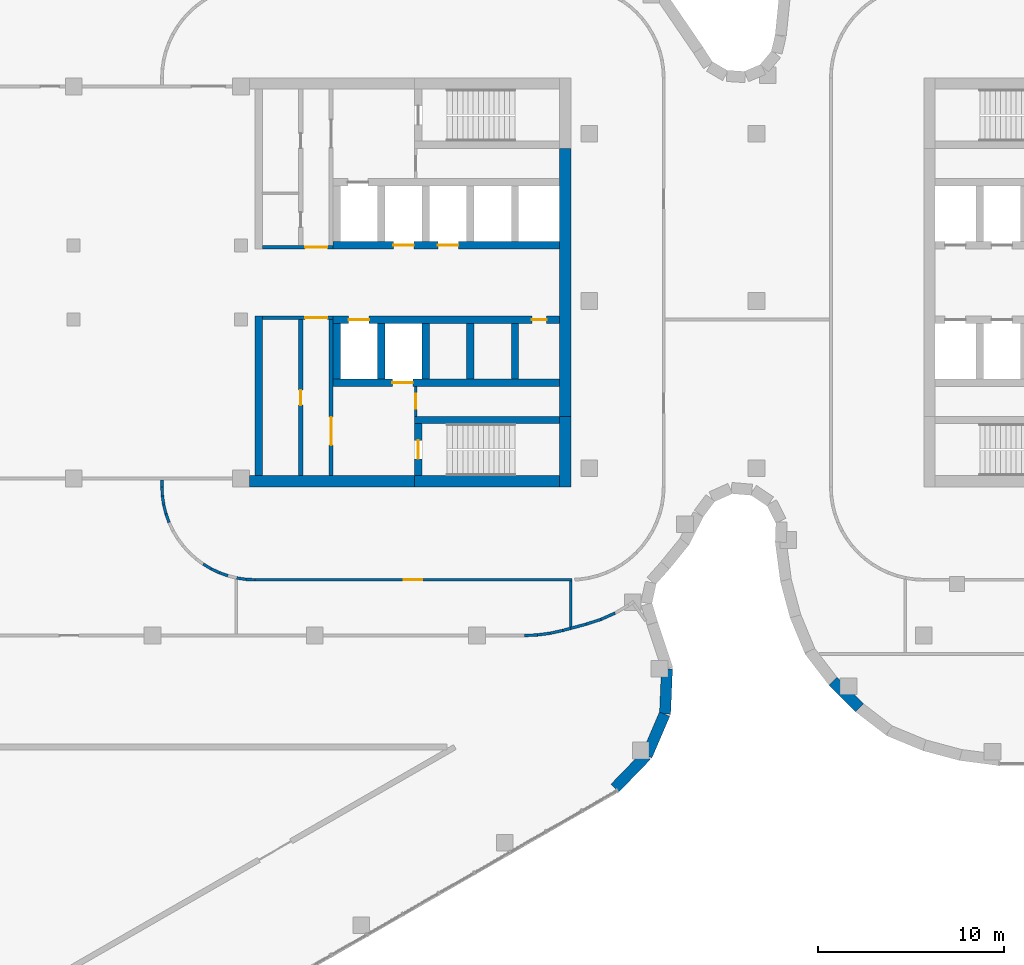
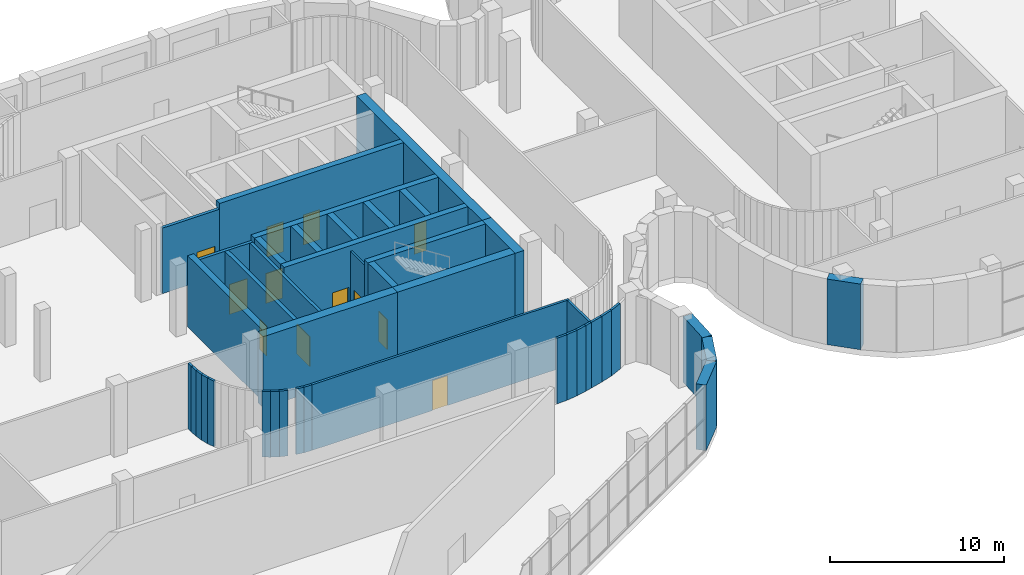
# One storey, part 13 of 24: 43 walls, 12 doors, 12 openings.
"""IFC4 building model written with IfcOpenShell, lengths in metres."""

from ifc_helpers import new_model, si_unit, direction, frame, frame_2d, origin, place, context, subcontext, project, spatial, rectangle, extrude, material, layer, layer_set, type_object, element, fill, save


model = new_model("IFC4")

# Units and contexts
model_context = context("Model", 3, precision=1e-05, world=origin(), true_north=direction((0.0, 1.0)))
body_context = subcontext(model_context, "Body", "Model", "MODEL_VIEW")
ifc_project = project(units=[si_unit("LENGTHUNIT", "METRE"), si_unit("AREAUNIT", "SQUARE_METRE"), si_unit("VOLUMEUNIT", "CUBIC_METRE"), si_unit("PLANEANGLEUNIT", "RADIAN"), si_unit("MASSUNIT", "GRAM", prefix="KILO")], contexts=[model_context])

# Site, building, storey
site_placement = place(None, origin())
site = spatial("IfcSite", under=ifc_project, at=site_placement, CompositionType="ELEMENT")
building_placement = place(site_placement, origin())
building = spatial("IfcBuilding", under=site, at=building_placement, Name="Skarvind Civic Tower", CompositionType="ELEMENT")
storey_placement = place(building_placement, frame((0.0, 0.0, 12.5)))
storey = spatial("IfcBuildingStorey", under=building, at=storey_placement, Name="L02", CompositionType="ELEMENT", Elevation=12.5)

# Wall, opening, door
ifc_material_1 = material(Name="Fire-rated masonry partition", Category="masonry")
ifc_layer_1 = layer(ifc_material_1, 0.199951171875)
ifc_layer_set_1 = layer_set([ifc_layer_1], Name="Core enclosure wall 200")
wall_type_1 = type_object("IfcWallType", Name="Core enclosure wall 200", PredefinedType="PARTITIONING", material=ifc_layer_set_1)
wall_1_placement = place(storey_placement, frame((95.199951171875, 126.10009765625, 0.0), z_axis=(0.0, 0.0, 1.0), x_axis=(-1.0, 0.0, 0.0)))
wall_1 = element("IfcWall", 1, at=wall_1_placement, inside=storey, type_object=wall_type_1, Name="Core wall C1", PredefinedType="PARTITIONING", context=body_context, shape_type="SweptSolid", body=[
    extrude(rectangle(XDim=3.800048828125, YDim=0.199951171875, at=frame_2d((1.89990234375, 0.0))), origin(), (0.0, 0.0, 1.0), 4.60009765625),
])
opening_1_placement = place(wall_1_placement, frame((0.300048828125, 0.0, 0.0)))
opening_1 = element("IfcOpeningElement", 2, at=opening_1_placement, cuts=wall_1, Name="Opening D-L02-C1-05", PredefinedType="OPENING", context=body_context, shape_type="SweptSolid", body=[
    extrude(rectangle(XDim=1.199951171875, YDim=2.10009765625, at=frame_2d((0.60009765625, 1.050048828125))), frame((0.0, 0.10986328125, 0.0), z_axis=(0.0, -1.0, 0.0), x_axis=(1.0, 0.0, 0.0)), (0.0, 0.0, 1.0), 0.219970703125),
])
ifc_material_2 = material(Name="Fire-rated steel door", Category="steel")
door_type_1 = type_object("IfcDoorType", Name="Core lobby door 1200", OperationType="NOTDEFINED", PredefinedType="DOOR", material=ifc_material_2)
door_1_placement = place(opening_1_placement, origin())
door_1 = element("IfcDoor", 3, at=door_1_placement, inside=storey, type_object=door_type_1, Name="Fire door", OperationType="DOUBLE_DOOR_SINGLE_SWING", OverallHeight=2.10009765625, OverallWidth=1.199951171875, PredefinedType="DOOR", context=body_context, shape_type="SweptSolid", body=[
    extrude(rectangle(XDim=1.199951171875, YDim=2.10009765625, at=frame_2d((0.60009765625, 1.050048828125))), frame((0.0, 0.02490234375, 0.0), z_axis=(0.0, -1.0, 0.0), x_axis=(1.0, 0.0, 0.0)), (0.0, 0.0, 1.0), 0.050048828125),
])
fill(opening_1, door_1)

wall_2_placement = place(storey_placement, frame((95.10009765625, 117.60009765625, 0.0), z_axis=(0.0, 0.0, 1.0), x_axis=(0.0, 1.0, 0.0)))
wall_2 = element("IfcWall", 4, at=wall_2_placement, inside=storey, type_object=wall_type_1, Name="Core wall C1", PredefinedType="PARTITIONING", context=body_context, shape_type="SweptSolid", body=[
    extrude(rectangle(XDim=8.39990234375, YDim=0.199951171875, at=frame_2d((4.199951171875, 0.0))), origin(), (0.0, 0.0, 1.0), 4.60009765625),
])
opening_2_placement = place(wall_2_placement, frame((1.64990234375, 0.0, 0.0)))
opening_2 = element("IfcOpeningElement", 5, at=opening_2_placement, cuts=wall_2, Name="Opening D-L02-C1-06", PredefinedType="OPENING", context=body_context, shape_type="SweptSolid", body=[
    extrude(rectangle(XDim=1.5, YDim=2.10009765625, at=frame_2d((0.75, 1.050048828125))), frame((0.0, 0.10986328125, 0.0), z_axis=(0.0, -1.0, 0.0), x_axis=(1.0, 0.0, 0.0)), (0.0, 0.0, 1.0), 0.219970703125),
])
door_type_2 = type_object("IfcDoorType", Name="Fire door 1500", OperationType="NOTDEFINED", PredefinedType="DOOR", material=ifc_material_2)
door_2_placement = place(opening_2_placement, origin())
door_2 = element("IfcDoor", 6, at=door_2_placement, inside=storey, type_object=door_type_2, Name="Fire door", OperationType="DOUBLE_DOOR_SINGLE_SWING", OverallHeight=2.10009765625, OverallWidth=1.5, PredefinedType="DOOR", context=body_context, shape_type="SweptSolid", body=[
    extrude(rectangle(XDim=1.5, YDim=2.10009765625, at=frame_2d((0.75, 1.050048828125))), frame((0.0, 0.02490234375, 0.0), z_axis=(0.0, -1.0, 0.0), x_axis=(1.0, 0.0, 0.0)), (0.0, 0.0, 1.0), 0.050048828125),
])
fill(opening_2, door_2)

wall_3_placement = place(storey_placement, frame((91.39990234375, 129.89990234375, 0.0), z_axis=(0.0, 0.0, 1.0), x_axis=(1.0, 0.0, 0.0)))
wall_3 = element("IfcWall", 7, at=wall_3_placement, inside=storey, type_object=wall_type_1, Name="Core wall C1", PredefinedType="PARTITIONING", context=body_context, shape_type="SweptSolid", body=[
    extrude(rectangle(XDim=3.800048828125, YDim=0.199951171875, at=frame_2d((1.89990234375, 0.0))), origin(), (0.0, 0.0, 1.0), 4.60009765625),
])
opening_3_placement = place(wall_3_placement, frame((2.300048828125, 0.0, 0.0)))
opening_3 = element("IfcOpeningElement", 8, at=opening_3_placement, cuts=wall_3, Name="Opening D-L02-C1-10", PredefinedType="OPENING", context=body_context, shape_type="SweptSolid", body=[
    extrude(rectangle(XDim=1.199951171875, YDim=2.10009765625, at=frame_2d((0.60009765625, 1.050048828125))), frame((0.0, 0.10986328125, 0.0), z_axis=(0.0, -1.0, 0.0), x_axis=(1.0, 0.0, 0.0)), (0.0, 0.0, 1.0), 0.219970703125),
])
door_3_placement = place(opening_3_placement, origin())
door_3 = element("IfcDoor", 9, at=door_3_placement, inside=storey, type_object=door_type_1, Name="Fire door", OperationType="DOUBLE_DOOR_SINGLE_SWING", OverallHeight=2.10009765625, OverallWidth=1.199951171875, PredefinedType="DOOR", context=body_context, shape_type="SweptSolid", body=[
    extrude(rectangle(XDim=1.199951171875, YDim=2.10009765625, at=frame_2d((0.60009765625, 1.050048828125))), frame((0.0, 0.02490234375, 0.0), z_axis=(0.0, -1.0, 0.0), x_axis=(1.0, 0.0, 0.0)), (0.0, 0.0, 1.0), 0.050048828125),
])
fill(opening_3, door_3)

# Wall
ifc_material_3 = material(Name="Concrete C80", Category="concrete")
ifc_layer_2 = layer(ifc_material_3, 0.39990234375)
ifc_layer_set_2 = layer_set([ifc_layer_2], Name="Core wall 400 C80")
wall_type_2 = type_object("IfcWallType", Name="Core wall 400 C80", PredefinedType="SHEAR", material=ifc_layer_set_2)
wall_4_placement = place(storey_placement, frame((107.39990234375, 120.60009765625, 0.0), z_axis=(0.0, 0.0, 1.0), x_axis=(-1.0, 0.0, 0.0)))
element("IfcWall", 10, at=wall_4_placement, inside=storey, type_object=wall_type_2, Name="Core wall C1 north stair inner L02", PredefinedType="SHEAR", context=body_context, shape_type="SweptSolid", body=[
    extrude(rectangle(XDim=7.7998046875, YDim=0.39990234375, at=frame_2d((3.89990234375, 0.0))), origin(), (0.0, 0.0, 1.0), 5.0),
])

# Wall, opening, door
wall_5_placement = place(storey_placement, frame((99.800048828125, 120.39990234375, 0.0), z_axis=(0.0, 0.0, 1.0), x_axis=(0.0, -1.0, 0.0)))
wall_5 = element("IfcWall", 11, at=wall_5_placement, inside=storey, type_object=wall_type_2, Name="Core wall C1 north stair end L02", PredefinedType="SHEAR", context=body_context, shape_type="SweptSolid", body=[
    extrude(rectangle(XDim=2.7998046875, YDim=0.39990234375, at=frame_2d((1.39990234375, 0.0))), origin(), (0.0, 0.0, 1.0), 5.0),
])
opening_4_placement = place(wall_5_placement, frame((0.89990234375, 0.0, 0.0)))
opening_4 = element("IfcOpeningElement", 12, at=opening_4_placement, cuts=wall_5, Name="Opening D-L02-C1-07", PredefinedType="OPENING", context=body_context, shape_type="SweptSolid", body=[
    extrude(rectangle(XDim=1.0, YDim=2.10009765625, at=frame_2d((0.5, 1.050048828125))), frame((0.0, 0.2099609375, 0.0), z_axis=(0.0, -1.0, 0.0), x_axis=(1.0, 0.0, 0.0)), (0.0, 0.0, 1.0), 0.419921875),
])
door_type_3 = type_object("IfcDoorType", Name="Fire door 1000", OperationType="NOTDEFINED", PredefinedType="DOOR", material=ifc_material_2)
door_4_placement = place(opening_4_placement, origin())
door_4 = element("IfcDoor", 13, at=door_4_placement, inside=storey, type_object=door_type_3, Name="Fire door", OperationType="SINGLE_SWING_LEFT", OverallHeight=2.10009765625, OverallWidth=1.0, PredefinedType="DOOR", context=body_context, shape_type="SweptSolid", body=[
    extrude(rectangle(XDim=1.0, YDim=2.10009765625, at=frame_2d((0.5, 1.050048828125))), frame((0.0, 0.02490234375, 0.0), z_axis=(0.0, -1.0, 0.0), x_axis=(1.0, 0.0, 0.0)), (0.0, 0.0, 1.0), 0.050048828125),
])
fill(opening_4, door_4)

# Wall, openings, doors
wall_6_placement = place(storey_placement, frame((107.39990234375, 130.0, 0.0), z_axis=(0.0, 0.0, 1.0), x_axis=(-1.0, 0.0, 0.0)))
wall_6 = element("IfcWall", 14, at=wall_6_placement, inside=storey, type_object=wall_type_2, Name="Core wall C1 south lift row front L02", PredefinedType="SHEAR", context=body_context, shape_type="SweptSolid", body=[
    extrude(rectangle(XDim=12.199951171875, YDim=0.39990234375, at=frame_2d((6.10009765625, 0.0))), origin(), (0.0, 0.0, 1.0), 5.0),
])
opening_5_placement = place(wall_6_placement, frame((5.449951171875, 0.0, 0.0)))
opening_5 = element("IfcOpeningElement", 15, at=opening_5_placement, cuts=wall_6, Name="Opening LD04108", PredefinedType="OPENING", context=body_context, shape_type="SweptSolid", body=[
    extrude(rectangle(XDim=1.10009765625, YDim=2.10009765625, at=frame_2d((0.550048828125, 1.050048828125))), frame((0.0, 0.2099609375, 0.0), z_axis=(0.0, -1.0, 0.0), x_axis=(1.0, 0.0, 0.0)), (0.0, 0.0, 1.0), 0.419921875),
])
opening_6_placement = place(wall_6_placement, frame((7.85009765625, 0.0, 0.0)))
opening_6 = element("IfcOpeningElement", 16, at=opening_6_placement, cuts=wall_6, Name="Opening LD04109", PredefinedType="OPENING", context=body_context, shape_type="SweptSolid", body=[
    extrude(rectangle(XDim=1.10009765625, YDim=2.10009765625, at=frame_2d((0.550048828125, 1.050048828125))), frame((0.0, 0.2099609375, 0.0), z_axis=(0.0, -1.0, 0.0), x_axis=(1.0, 0.0, 0.0)), (0.0, 0.0, 1.0), 0.419921875),
])
ifc_material_4 = material(Name="Stainless steel landing door", Category="steel")
door_type_4 = type_object("IfcDoorType", Name="Lift landing door 1100", OperationType="DOUBLE_DOOR_SLIDING", PredefinedType="DOOR", material=ifc_material_4)
door_5_placement = place(opening_5_placement, origin())
door_5 = element("IfcDoor", 17, at=door_5_placement, inside=storey, type_object=door_type_4, Name="Lift landing door", OperationType="DOUBLE_DOOR_SLIDING", OverallHeight=2.10009765625, OverallWidth=1.10009765625, PredefinedType="DOOR", context=body_context, shape_type="SweptSolid", body=[
    extrude(rectangle(XDim=1.10009765625, YDim=2.10009765625, at=frame_2d((0.550048828125, 1.050048828125))), frame((0.0, 0.02490234375, 0.0), z_axis=(0.0, -1.0, 0.0), x_axis=(1.0, 0.0, 0.0)), (0.0, 0.0, 1.0), 0.050048828125),
])
fill(opening_5, door_5)
door_6_placement = place(opening_6_placement, origin())
door_6 = element("IfcDoor", 18, at=door_6_placement, inside=storey, type_object=door_type_4, Name="Lift landing door", OperationType="DOUBLE_DOOR_SLIDING", OverallHeight=2.10009765625, OverallWidth=1.10009765625, PredefinedType="DOOR", context=body_context, shape_type="SweptSolid", body=[
    extrude(rectangle(XDim=1.10009765625, YDim=2.10009765625, at=frame_2d((0.550048828125, 1.050048828125))), frame((0.0, 0.02490234375, 0.0), z_axis=(0.0, -1.0, 0.0), x_axis=(1.0, 0.0, 0.0)), (0.0, 0.0, 1.0), 0.050048828125),
])
fill(opening_6, door_6)

wall_7_placement = place(storey_placement, frame((107.39990234375, 126.0, 0.0), z_axis=(0.0, 0.0, 1.0), x_axis=(-1.0, 0.0, 0.0)))
wall_7 = element("IfcWall", 19, at=wall_7_placement, inside=storey, type_object=wall_type_2, Name="Core wall C1 north lift row front L02", PredefinedType="SHEAR", context=body_context, shape_type="SweptSolid", body=[
    extrude(rectangle(XDim=12.199951171875, YDim=0.39990234375, at=frame_2d((6.10009765625, 0.0))), origin(), (0.0, 0.0, 1.0), 5.0),
])
opening_7_placement = place(wall_7_placement, frame((10.25, 0.0, 0.0)))
opening_7 = element("IfcOpeningElement", 20, at=opening_7_placement, cuts=wall_7, Name="Opening LD04105", PredefinedType="OPENING", context=body_context, shape_type="SweptSolid", body=[
    extrude(rectangle(XDim=1.10009765625, YDim=2.10009765625, at=frame_2d((0.550048828125, 1.050048828125))), frame((0.0, 0.2099609375, 0.0), z_axis=(0.0, -1.0, 0.0), x_axis=(1.0, 0.0, 0.0)), (0.0, 0.0, 1.0), 0.419921875),
])
opening_8_placement = place(wall_7_placement, frame((0.699951171875, 0.0, 0.0)))
opening_8 = element("IfcOpeningElement", 21, at=opening_8_placement, cuts=wall_7, Name="Opening D-L02-C1-04", PredefinedType="OPENING", context=body_context, shape_type="SweptSolid", body=[
    extrude(rectangle(XDim=0.800048828125, YDim=2.10009765625, at=frame_2d((0.39990234375, 1.050048828125))), frame((0.0, 0.2099609375, 0.0), z_axis=(0.0, -1.0, 0.0), x_axis=(1.0, 0.0, 0.0)), (0.0, 0.0, 1.0), 0.419921875),
])
door_type_5 = type_object("IfcDoorType", Name="Core riser door 800", OperationType="NOTDEFINED", PredefinedType="DOOR", material=ifc_material_2)
door_7_placement = place(opening_8_placement, origin())
door_7 = element("IfcDoor", 22, at=door_7_placement, inside=storey, type_object=door_type_5, Name="Riser door", OperationType="SINGLE_SWING_LEFT", OverallHeight=2.10009765625, OverallWidth=0.800048828125, PredefinedType="DOOR", context=body_context, shape_type="SweptSolid", body=[
    extrude(rectangle(XDim=0.800048828125, YDim=2.10009765625, at=frame_2d((0.39990234375, 1.050048828125))), frame((0.0, 0.02490234375, 0.0), z_axis=(0.0, -1.0, 0.0), x_axis=(1.0, 0.0, 0.0)), (0.0, 0.0, 1.0), 0.050048828125),
])
fill(opening_8, door_7)
door_8_placement = place(opening_7_placement, origin())
door_8 = element("IfcDoor", 23, at=door_8_placement, inside=storey, type_object=door_type_4, Name="Lift landing door", OperationType="DOUBLE_DOOR_SLIDING", OverallHeight=2.10009765625, OverallWidth=1.10009765625, PredefinedType="DOOR", context=body_context, shape_type="SweptSolid", body=[
    extrude(rectangle(XDim=1.10009765625, YDim=2.10009765625, at=frame_2d((0.550048828125, 1.050048828125))), frame((0.0, 0.02490234375, 0.0), z_axis=(0.0, -1.0, 0.0), x_axis=(1.0, 0.0, 0.0)), (0.0, 0.0, 1.0), 0.050048828125),
])
fill(opening_7, door_8)

# Wall, opening, door
wall_8_placement = place(storey_placement, frame((107.39990234375, 122.60009765625, 0.0), z_axis=(0.0, 0.0, 1.0), x_axis=(-1.0, 0.0, 0.0)))
wall_8 = element("IfcWall", 24, at=wall_8_placement, inside=storey, type_object=wall_type_2, Name="Core wall C1 north lift row back L02", PredefinedType="SHEAR", context=body_context, shape_type="SweptSolid", body=[
    extrude(rectangle(XDim=12.199951171875, YDim=0.39990234375, at=frame_2d((6.10009765625, 0.0))), origin(), (0.0, 0.0, 1.0), 5.0),
])
opening_9_placement = place(wall_8_placement, frame((7.89990234375, 0.0, 0.0)))
opening_9 = element("IfcOpeningElement", 25, at=opening_9_placement, cuts=wall_8, Name="Opening LD04104", PredefinedType="OPENING", context=body_context, shape_type="SweptSolid", body=[
    extrude(rectangle(XDim=1.10009765625, YDim=2.10009765625, at=frame_2d((0.550048828125, 1.050048828125))), frame((0.0, 0.2099609375, 0.0), z_axis=(0.0, -1.0, 0.0), x_axis=(1.0, 0.0, 0.0)), (0.0, 0.0, 1.0), 0.419921875),
])
door_9_placement = place(opening_9_placement, origin())
door_9 = element("IfcDoor", 26, at=door_9_placement, inside=storey, type_object=door_type_4, Name="Lift landing door", OperationType="DOUBLE_DOOR_SLIDING", OverallHeight=2.10009765625, OverallWidth=1.10009765625, PredefinedType="DOOR", context=body_context, shape_type="SweptSolid", body=[
    extrude(rectangle(XDim=1.10009765625, YDim=2.10009765625, at=frame_2d((0.550048828125, 1.050048828125))), frame((0.0, 0.02490234375, 0.0), z_axis=(0.0, -1.0, 0.0), x_axis=(1.0, 0.0, 0.0)), (0.0, 0.0, 1.0), 0.050048828125),
])
fill(opening_9, door_9)

# Walls
for number, where, z_axis, x_axis, name in (
    (27, (105.0, 125.800048828125, 0.0), (0.0, 0.0, 1.0), (0.0, -1.0, 0.0), "Core wall C1 north lift row division 1 L02"),
    (28, (102.60009765625, 125.800048828125, 0.0), (0.0, 0.0, 1.0), (0.0, -1.0, 0.0), "Core wall C1 north lift row division 2 L02"),
    (29, (100.199951171875, 125.800048828125, 0.0), (0.0, 0.0, 1.0), (0.0, -1.0, 0.0), "Core wall C1 north lift row division 3 L02"),
    (30, (97.800048828125, 125.800048828125, 0.0), (0.0, 0.0, 1.0), (0.0, -1.0, 0.0), "Core wall C1 north lift row division 4 L02"),
    (31, (95.39990234375, 125.800048828125, 0.0), (0.0, 0.0, 1.0), (0.0, -1.0, 0.0), "Core wall C1 north lift row division 5 L02"),
):
    element("IfcWall", number, at=place(storey_placement, frame(where, z_axis=z_axis, x_axis=x_axis)), inside=storey, type_object=wall_type_2, Name=name, PredefinedType="SHEAR", context=body_context, shape_type="SweptSolid", body=[
        extrude(rectangle(XDim=3.0, YDim=0.39990234375, at=frame_2d((1.5, 0.0))), origin(), (0.0, 0.0, 1.0), 5.0),
    ])
wall_9_placement = place(storey_placement, frame((91.199951171875, 126.199951171875, 0.0), z_axis=(0.0, 0.0, 1.0), x_axis=(0.0, -1.0, 0.0)))
element("IfcWall", 32, at=wall_9_placement, inside=storey, type_object=wall_type_2, Name="Core wall C1 north inner face L02", PredefinedType="SHEAR", context=body_context, shape_type="SweptSolid", body=[
    extrude(rectangle(XDim=8.599853515625, YDim=0.39990234375, at=frame_2d((4.2998046875, 0.0))), origin(), (0.0, 0.0, 1.0), 5.0),
])
ifc_layer_3 = layer(ifc_material_3, 0.60009765625)
ifc_layer_set_3 = layer_set([ifc_layer_3], Name="Core wall 600 C80")
wall_type_3 = type_object("IfcWallType", Name="Core wall 600 C80", PredefinedType="SHEAR", material=ifc_layer_set_3)
wall_10_placement = place(storey_placement, frame((107.699951171875, 135.199951171875, 0.0), z_axis=(0.0, 0.0, 1.0), x_axis=(0.0, -1.0, 0.0)))
element("IfcWall", 33, at=wall_10_placement, inside=storey, type_object=wall_type_3, Name="Core wall C1 tip between the stairs L02", PredefinedType="SHEAR", context=body_context, shape_type="SweptSolid", body=[
    extrude(rectangle(XDim=14.39990234375, YDim=0.60009765625, at=frame_2d((7.199951171875, 0.0))), origin(), (0.0, 0.0, 1.0), 5.0),
])
wall_11_placement = place(storey_placement, frame((107.699951171875, 120.800048828125, 0.0), z_axis=(0.0, 0.0, 1.0), x_axis=(0.0, -1.0, 0.0)))
element("IfcWall", 34, at=wall_11_placement, inside=storey, type_object=wall_type_3, Name="Core wall C1 tip at the north stair L02", PredefinedType="SHEAR", context=body_context, shape_type="SweptSolid", body=[
    extrude(rectangle(XDim=3.800048828125, YDim=0.60009765625, at=frame_2d((1.89990234375, 0.0))), origin(), (0.0, 0.0, 1.0), 5.0),
])
wall_12_placement = place(storey_placement, frame((107.39990234375, 117.300048828125, 0.0), z_axis=(0.0, 0.0, 1.0), x_axis=(-1.0, 0.0, 0.0)))
element("IfcWall", 35, at=wall_12_placement, inside=storey, type_object=wall_type_3, Name="Core wall C1 north side at the stair L02", PredefinedType="SHEAR", context=body_context, shape_type="SweptSolid", body=[
    extrude(rectangle(XDim=7.7998046875, YDim=0.60009765625, at=frame_2d((3.89990234375, 0.0))), origin(), (0.0, 0.0, 1.0), 5.0),
])
wall_13_placement = place(storey_placement, frame((99.60009765625, 117.300048828125, 0.0), z_axis=(0.0, 0.0, 1.0), x_axis=(-1.0, 0.0, 0.0)))
element("IfcWall", 36, at=wall_13_placement, inside=storey, type_object=wall_type_3, Name="Core wall C1 north side L02", PredefinedType="SHEAR", context=body_context, shape_type="SweptSolid", body=[
    extrude(rectangle(XDim=8.900146484375, YDim=0.60009765625, at=frame_2d((4.4501953125, 0.0))), origin(), (0.0, 0.0, 1.0), 5.0),
])
ifc_material_5 = material(Name="Plasterboard partition on steel studs", Category="steel")
ifc_layer_4 = layer(ifc_material_5, 0.14990234375)
ifc_layer_set_4 = layer_set([ifc_layer_4], Name="PARTITION 150")
wall_type_4 = type_object("IfcWallType", Name="PARTITION 150", PredefinedType="PARTITIONING", material=ifc_layer_set_4)
wall_14_placement = place(storey_placement, frame((86.0, 116.998046875, 0.0), z_axis=(0.0, 0.0, 1.0), x_axis=(0.0, 1.0, 0.0)))
element("IfcWall", 37, at=wall_14_placement, inside=storey, type_object=wall_type_4, Name="Podium partition L02 149", PredefinedType="PARTITIONING", context=body_context, shape_type="SweptSolid", body=[
    extrude(rectangle(XDim=0.376953125, YDim=0.14990234375, at=frame_2d((0.1884765625, 0.0))), origin(), (0.0, 0.0, 1.0), 4.60009765625),
])
wall_15_placement = place(storey_placement, frame((86.0, 117.001953125, 0.0), z_axis=(0.0, 0.0, 1.0), x_axis=(0.048196018647, -0.998837896651, 0.0)))
element("IfcWall", 38, at=wall_15_placement, inside=storey, type_object=wall_type_4, Name="Podium partition L02 150", PredefinedType="PARTITIONING", context=body_context, shape_type="SweptSolid", body=[
    extrude(rectangle(XDim=0.496337890625, YDim=0.14990234375, at=frame_2d((0.248046875, 0.0))), origin(), (0.0, 0.0, 1.0), 4.60009765625),
])
wall_16_placement = place(storey_placement, frame((86.02294921875, 116.513916015625, 0.0), z_axis=(0.0, 0.0, 1.0), x_axis=(0.148412307247, -0.988925572052, 0.0)))
element("IfcWall", 39, at=wall_16_placement, inside=storey, type_object=wall_type_4, Name="Podium partition L02 153", PredefinedType="PARTITIONING", context=body_context, shape_type="SweptSolid", body=[
    extrude(rectangle(XDim=0.49853515625, YDim=0.14990234375, at=frame_2d((0.249267578125, 0.0))), origin(), (0.0, 0.0, 1.0), 4.60009765625),
])
wall_17_placement = place(storey_placement, frame((86.094970703125, 116.029052734375, 0.0), z_axis=(0.0, 0.0, 1.0), x_axis=(0.242650732785, -0.970113715952, 0.0)))
element("IfcWall", 40, at=wall_17_placement, inside=storey, type_object=wall_type_4, Name="Podium partition L02 155", PredefinedType="PARTITIONING", context=body_context, shape_type="SweptSolid", body=[
    extrude(rectangle(XDim=0.4990234375, YDim=0.14990234375, at=frame_2d((0.24951171875, 0.0))), origin(), (0.0, 0.0, 1.0), 4.60009765625),
])
wall_18_placement = place(storey_placement, frame((86.214111328125, 115.552978515625, 0.0), z_axis=(0.0, 0.0, 1.0), x_axis=(0.3371744988, -0.941442168887, 0.0)))
element("IfcWall", 41, at=wall_18_placement, inside=storey, type_object=wall_type_4, Name="Podium partition L02 157", PredefinedType="PARTITIONING", context=body_context, shape_type="SweptSolid", body=[
    extrude(rectangle(XDim=0.498046875, YDim=0.14990234375, at=frame_2d((0.2490234375, 0.0))), origin(), (0.0, 0.0, 1.0), 4.60009765625),
])
wall_19_placement = place(storey_placement, frame((88.218994140625, 112.844970703125, 0.0), z_axis=(0.0, 0.0, 1.0), x_axis=(0.85671397893, -0.515791778052, 0.0)))
element("IfcWall", 42, at=wall_19_placement, inside=storey, type_object=wall_type_4, Name="Podium partition L02 171", PredefinedType="PARTITIONING", context=body_context, shape_type="SweptSolid", body=[
    extrude(rectangle(XDim=0.49853515625, YDim=0.14990234375, at=frame_2d((0.249267578125, 0.0))), origin(), (0.0, 0.0, 1.0), 4.60009765625),
])
for number, where, z_axis, x_axis, name in (
    (43, (88.639892578125, 112.592041015625, 0.0), (0.0, 0.0, 1.0), (0.903827641978, -0.427896709028, 0.0), "Podium partition L02 173"),
    (44, (89.083984375, 112.382080078125, 0.0), (0.0, 0.0, 1.0), (0.941442168887, -0.3371744988, 0.0), "Podium partition L02 175"),
):
    element("IfcWall", number, at=place(storey_placement, frame(where, z_axis=z_axis, x_axis=x_axis)), inside=storey, type_object=wall_type_4, Name=name, PredefinedType="PARTITIONING", context=body_context, shape_type="SweptSolid", body=[
        extrude(rectangle(XDim=0.498046875, YDim=0.14990234375, at=frame_2d((0.2490234375, 0.0))), origin(), (0.0, 0.0, 1.0), 4.60009765625),
    ])
wall_20_placement = place(storey_placement, frame((90.02490234375, 112.095947265625, 0.0), z_axis=(0.0, 0.0, 1.0), x_axis=(0.989041138834, -0.147640189971, 0.0)))
element("IfcWall", 45, at=wall_20_placement, inside=storey, type_object=wall_type_4, Name="Podium partition L02 181", PredefinedType="PARTITIONING", context=body_context, shape_type="SweptSolid", body=[
    extrude(rectangle(XDim=0.494384765625, YDim=0.14990234375, at=frame_2d((0.2470703125, 0.0))), origin(), (0.0, 0.0, 1.0), 4.60009765625),
])
wall_21_placement = place(storey_placement, frame((90.506103515625, 112.02392578125, 0.0), z_axis=(0.0, 0.0, 1.0), x_axis=(0.998837896651, -0.048196018647, 0.0)))
element("IfcWall", 46, at=wall_21_placement, inside=storey, type_object=wall_type_4, Name="Podium partition L02 182", PredefinedType="PARTITIONING", context=body_context, shape_type="SweptSolid", body=[
    extrude(rectangle(XDim=0.496337890625, YDim=0.14990234375, at=frame_2d((0.248046875, 0.0))), origin(), (0.0, 0.0, 1.0), 4.60009765625),
])

# Wall, opening, door
wall_22_placement = place(storey_placement, frame((108.074951171875, 112.0, 0.0), z_axis=(0.0, 0.0, 1.0), x_axis=(-1.0, 0.0, 0.0)))
wall_22 = element("IfcWall", 47, at=wall_22_placement, inside=storey, type_object=wall_type_4, Name="Podium partition L02 183", PredefinedType="PARTITIONING", context=body_context, shape_type="SweptSolid", body=[
    extrude(rectangle(XDim=17.076904296875, YDim=0.14990234375, at=frame_2d((8.53857421875, 0.0))), origin(), (0.0, 0.0, 1.0), 4.60009765625),
])
opening_10_placement = place(wall_22_placement, frame((8.074951171875, 0.0, 0.0)))
opening_10 = element("IfcOpeningElement", 48, at=opening_10_placement, cuts=wall_22, Name="Opening L02-D229", PredefinedType="OPENING", context=body_context, shape_type="SweptSolid", body=[
    extrude(rectangle(XDim=1.0, YDim=2.10009765625, at=frame_2d((0.5, 1.050048828125))), frame((0.0, 0.0849609375, 0.0), z_axis=(0.0, -1.0, 0.0), x_axis=(1.0, 0.0, 0.0)), (0.0, 0.0, 1.0), 0.169921875),
])
ifc_material_6 = material(Name="Timber veneer door leaf", Category="wood")
door_type_6 = type_object("IfcDoorType", Name="DOOR 1000X2100 TIMBER", OperationType="NOTDEFINED", PredefinedType="DOOR", material=ifc_material_6)
door_10_placement = place(opening_10_placement, origin())
door_10 = element("IfcDoor", 49, at=door_10_placement, inside=storey, type_object=door_type_6, Name="DOOR DOOR", OperationType="SINGLE_SWING_RIGHT", OverallHeight=2.10009765625, OverallWidth=1.0, PredefinedType="DOOR", context=body_context, shape_type="SweptSolid", body=[
    extrude(rectangle(XDim=1.0, YDim=2.10009765625, at=frame_2d((0.5, 1.050048828125))), frame((0.0, 0.02490234375, 0.0), z_axis=(0.0, -1.0, 0.0), x_axis=(1.0, 0.0, 0.0)), (0.0, 0.0, 1.0), 0.050048828125),
])
fill(opening_10, door_10)

# Walls
wall_23_placement = place(storey_placement, frame((105.5, 109.0, 0.0), z_axis=(0.0, 0.0, 1.0), x_axis=(0.999080978163, 0.042862560277, 0.0)))
element("IfcWall", 50, at=wall_23_placement, inside=storey, type_object=wall_type_4, Name="Podium partition L02 184", PredefinedType="PARTITIONING", context=body_context, shape_type="SweptSolid", body=[
    extrude(rectangle(XDim=0.70068359375, YDim=0.14990234375, at=frame_2d((0.350341796875, 0.0))), origin(), (0.0, 0.0, 1.0), 4.60009765625),
])
wall_24_placement = place(storey_placement, frame((106.194091796875, 109.030029296875, 0.0), z_axis=(0.0, 0.0, 1.0), x_axis=(0.991417667389, 0.130732585032, 0.0)))
element("IfcWall", 51, at=wall_24_placement, inside=storey, type_object=wall_type_4, Name="Podium partition L02 185", PredefinedType="PARTITIONING", context=body_context, shape_type="SweptSolid", body=[
    extrude(rectangle(XDim=0.7041015625, YDim=0.14990234375, at=frame_2d((0.35205078125, 0.0))), origin(), (0.0, 0.0, 1.0), 4.60009765625),
])
wall_25_placement = place(storey_placement, frame((106.885986328125, 109.12109375, 0.0), z_axis=(0.0, 0.0, 1.0), x_axis=(0.976301537339, 0.216414667222, 0.0)))
element("IfcWall", 52, at=wall_25_placement, inside=storey, type_object=wall_type_4, Name="Podium partition L02 186", PredefinedType="PARTITIONING", context=body_context, shape_type="SweptSolid", body=[
    extrude(rectangle(XDim=0.70166015625, YDim=0.14990234375, at=frame_2d((0.350830078125, 0.0))), origin(), (0.0, 0.0, 1.0), 4.60009765625),
])
wall_26_placement = place(storey_placement, frame((107.571044921875, 109.27294921875, 0.0), z_axis=(0.0, 0.0, 1.0), x_axis=(0.965896509383, 0.25892843251, 0.0)))
element("IfcWall", 53, at=wall_26_placement, inside=storey, type_object=wall_type_4, Name="Podium partition L02 187", PredefinedType="PARTITIONING", context=body_context, shape_type="SweptSolid", body=[
    extrude(rectangle(XDim=0.444091796875, YDim=0.14990234375, at=frame_2d((0.22216796875, 0.0))), origin(), (0.0, 0.0, 1.0), 4.60009765625),
])
wall_27_placement = place(storey_placement, frame((108.0, 109.466064453125, 0.0), z_axis=(0.0, 0.0, 1.0), x_axis=(0.0, 1.0, 0.0)))
element("IfcWall", 54, at=wall_27_placement, inside=storey, type_object=wall_type_4, Name="Podium partition L02 188", PredefinedType="PARTITIONING", context=body_context, shape_type="SweptSolid", body=[
    extrude(rectangle(XDim=2.458984375, YDim=0.14990234375, at=frame_2d((1.2294921875, 0.0))), origin(), (0.0, 0.0, 1.0), 4.60009765625),
])
wall_28_placement = place(storey_placement, frame((108.0, 109.387939453125, 0.0), z_axis=(0.0, 0.0, 1.0), x_axis=(0.965800850795, 0.259285010374, 0.0)))
element("IfcWall", 55, at=wall_28_placement, inside=storey, type_object=wall_type_4, Name="Podium partition L02 189", PredefinedType="PARTITIONING", context=body_context, shape_type="SweptSolid", body=[
    extrude(rectangle(XDim=0.85205078125, YDim=0.14990234375, at=frame_2d((0.426025390625, 0.0))), origin(), (0.0, 0.0, 1.0), 4.60009765625),
])
wall_29_placement = place(storey_placement, frame((108.819091796875, 109.60693359375, 0.0), z_axis=(0.0, 0.0, 1.0), x_axis=(0.95125726357, 0.308398473578, 0.0)))
element("IfcWall", 56, at=wall_29_placement, inside=storey, type_object=wall_type_4, Name="Podium partition L02 195", PredefinedType="PARTITIONING", context=body_context, shape_type="SweptSolid", body=[
    extrude(rectangle(XDim=0.843017578125, YDim=0.14990234375, at=frame_2d((0.42138671875, 0.0))), origin(), (0.0, 0.0, 1.0), 4.60009765625),
])
wall_30_placement = place(storey_placement, frame((109.613037109375, 109.864013671875, 0.0), z_axis=(0.0, 0.0, 1.0), x_axis=(0.913180057383, 0.407556355364, 0.0)))
element("IfcWall", 57, at=wall_30_placement, inside=storey, type_object=wall_type_4, Name="Podium partition L02 200", PredefinedType="PARTITIONING", context=body_context, shape_type="SweptSolid", body=[
    extrude(rectangle(XDim=0.846435546875, YDim=0.14990234375, at=frame_2d((0.42333984375, 0.0))), origin(), (0.0, 0.0, 1.0), 4.60009765625),
])

# Wall, opening, door
ifc_layer_5 = layer(ifc_material_1, 0.125)
ifc_layer_set_5 = layer_set([ifc_layer_5], Name="Riser wall 125")
wall_type_5 = type_object("IfcWallType", Name="Riser wall 125", PredefinedType="PARTITIONING", material=ifc_layer_set_5)
wall_31_placement = place(storey_placement, frame((99.66259765625, 120.800048828125, 0.0), z_axis=(0.0, 0.0, 1.0), x_axis=(0.0, 1.0, 0.0)))
wall_31 = element("IfcWall", 58, at=wall_31_placement, inside=storey, type_object=wall_type_5, Name="Core wall C1", PredefinedType="PARTITIONING", context=body_context, shape_type="SweptSolid", body=[
    extrude(rectangle(XDim=1.599853515625, YDim=0.125, at=frame_2d((0.7998046875, 0.0))), origin(), (0.0, 0.0, 1.0), 4.60009765625),
])
opening_11_placement = place(wall_31_placement, frame((0.39990234375, 0.0, 0.0)))
opening_11 = element("IfcOpeningElement", 59, at=opening_11_placement, cuts=wall_31, Name="Opening D-L02-C1-08", PredefinedType="OPENING", context=body_context, shape_type="SweptSolid", body=[
    extrude(rectangle(XDim=0.800048828125, YDim=2.10009765625, at=frame_2d((0.39990234375, 1.050048828125))), frame((0.0, 0.072509765625, 0.0), z_axis=(0.0, -1.0, 0.0), x_axis=(1.0, 0.0, 0.0)), (0.0, 0.0, 1.0), 0.14501953125),
])
door_11_placement = place(opening_11_placement, origin())
door_11 = element("IfcDoor", 60, at=door_11_placement, inside=storey, type_object=door_type_5, Name="Riser door", OperationType="SINGLE_SWING_RIGHT", OverallHeight=2.10009765625, OverallWidth=0.800048828125, PredefinedType="DOOR", context=body_context, shape_type="SweptSolid", body=[
    extrude(rectangle(XDim=0.800048828125, YDim=2.10009765625, at=frame_2d((0.39990234375, 1.050048828125))), frame((0.0, 0.02490234375, 0.0), z_axis=(0.0, -1.0, 0.0), x_axis=(1.0, 0.0, 0.0)), (0.0, 0.0, 1.0), 0.050048828125),
])
fill(opening_11, door_11)

ifc_layer_6 = layer(ifc_material_1, 0.25)
ifc_layer_set_6 = layer_set([ifc_layer_6], Name="Service block wall 250")
wall_type_6 = type_object("IfcWallType", Name="Service block wall 250", PredefinedType="PARTITIONING", material=ifc_layer_set_6)
wall_32_placement = place(storey_placement, frame((93.47509765625, 117.60009765625, 0.0), z_axis=(0.0, 0.0, 1.0), x_axis=(0.0, 1.0, 0.0)))
wall_32 = element("IfcWall", 61, at=wall_32_placement, inside=storey, type_object=wall_type_6, Name="Core wall C1", PredefinedType="PARTITIONING", context=body_context, shape_type="SweptSolid", body=[
    extrude(rectangle(XDim=8.39990234375, YDim=0.25, at=frame_2d((4.199951171875, 0.0))), origin(), (0.0, 0.0, 1.0), 4.60009765625),
])
opening_12_placement = place(wall_32_placement, frame((3.800048828125, 0.0, 0.0)))
opening_12 = element("IfcOpeningElement", 62, at=opening_12_placement, cuts=wall_32, Name="Opening D-L02-C1-09", PredefinedType="OPENING", context=body_context, shape_type="SweptSolid", body=[
    extrude(rectangle(XDim=0.800048828125, YDim=2.10009765625, at=frame_2d((0.39990234375, 1.050048828125))), frame((0.0, 0.135009765625, 0.0), z_axis=(0.0, -1.0, 0.0), x_axis=(1.0, 0.0, 0.0)), (0.0, 0.0, 1.0), 0.27001953125),
])
door_12_placement = place(opening_12_placement, origin())
door_12 = element("IfcDoor", 63, at=door_12_placement, inside=storey, type_object=door_type_5, Name="Riser door", OperationType="SINGLE_SWING_LEFT", OverallHeight=2.10009765625, OverallWidth=0.800048828125, PredefinedType="DOOR", context=body_context, shape_type="SweptSolid", body=[
    extrude(rectangle(XDim=0.800048828125, YDim=2.10009765625, at=frame_2d((0.39990234375, 1.050048828125))), frame((0.0, 0.02490234375, 0.0), z_axis=(0.0, -1.0, 0.0), x_axis=(1.0, 0.0, 0.0)), (0.0, 0.0, 1.0), 0.050048828125),
])
fill(opening_12, door_12)

# Walls
ifc_material_7 = material(Name="Limestone masonry cladding on insulated backing", Category="masonry")
ifc_layer_7 = layer(ifc_material_7, 0.60009765625)
ifc_layer_set_7 = layer_set([ifc_layer_7], Name="WX1 STONE FACADE WALL 600")
wall_type_7 = type_object("IfcWallType", Name="WX1 STONE FACADE WALL 600", PredefinedType="SOLIDWALL", material=ifc_layer_set_7)
for number, where, z_axis, x_axis, name in (
    (64, (112.06640625, 102.53564453125, 0.0), (0.0, 0.0, 1.0), (-0.695943864418, -0.718096189643, 0.0), "STONE FACADE WALL"),
    (65, (113.05126953125, 104.76904296875, 0.0), (0.0, 0.0, 1.0), (-0.394862771196, -0.918740111198, 0.0), "STONE FACADE WALL"),
    (66, (113.1767578125, 107.206787109375, 0.0), (0.0, 0.0, 1.0), (-0.042001630397, -0.999117542156, 0.0), "STONE FACADE WALL"),
):
    element("IfcWall", number, at=place(storey_placement, frame(where, z_axis=z_axis, x_axis=x_axis)), inside=storey, type_object=wall_type_7, Name=name, PredefinedType="SOLIDWALL", context=body_context, shape_type="SweptSolid", body=[
        extrude(rectangle(XDim=2.435546875, YDim=0.60009765625, at=frame_2d((1.2177734375, 0.0))), origin(), (0.0, 0.0, 1.0), 4.60009765625),
    ])
wall_33_placement = place(storey_placement, frame((123.536865234375, 105.109619140625, 0.0), z_axis=(0.0, 0.0, 1.0), x_axis=(-0.707106781187, 0.707106781187, 0.0)))
element("IfcWall", 67, at=wall_33_placement, inside=storey, type_object=wall_type_7, Name="STONE FACADE WALL", PredefinedType="SOLIDWALL", context=body_context, shape_type="SweptSolid", body=[
    extrude(rectangle(XDim=2.018310546875, YDim=0.60009765625, at=frame_2d((1.00927734375, 0.0))), origin(), (0.0, 0.0, 1.0), 4.60009765625),
])

save(model, "model.ifc")
